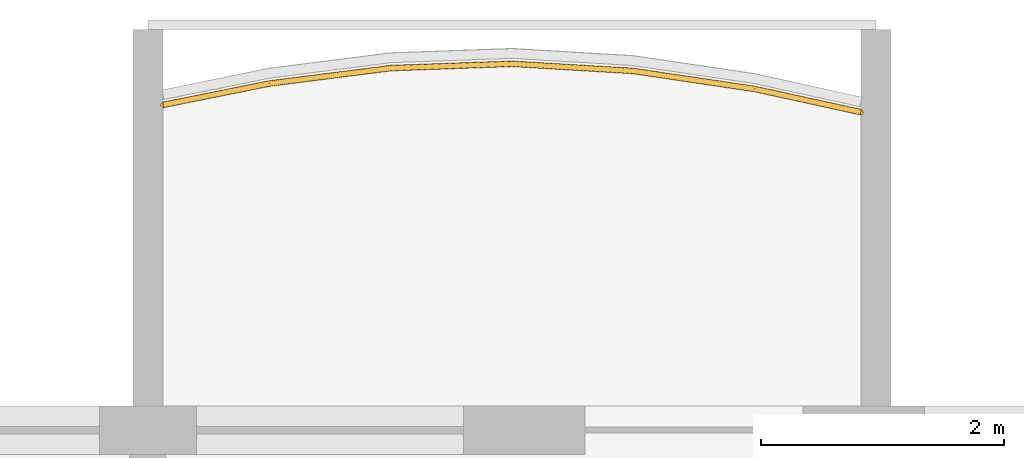
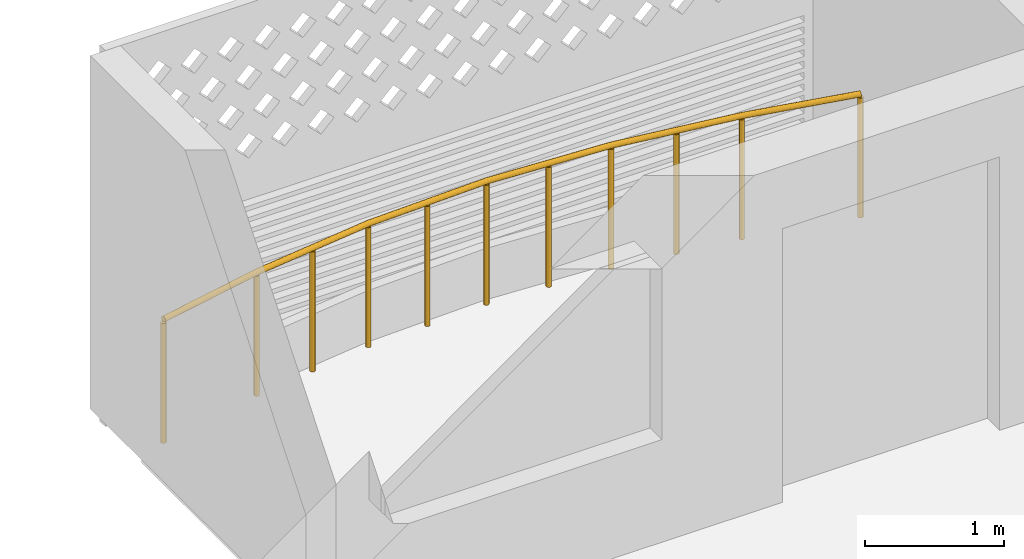
# One storey, part 21 of 26: 1 railing.
"""IFC4 building model written with IfcOpenShell, lengths in metres."""

from ifc_helpers import new_model, si_unit, direction, frame, origin, origin_2d, place, context, subcontext, project, spatial, circle, extrude, material, type_object, element, save


model = new_model("IFC4")

# Units and contexts
model_context = context("Model", 3, precision=1e-05, world=origin(), true_north=direction((0.0, 1.0)))
body_context = subcontext(model_context, "Body", "Model", "MODEL_VIEW")
ifc_project = project(units=[si_unit("LENGTHUNIT", "METRE"), si_unit("AREAUNIT", "SQUARE_METRE"), si_unit("VOLUMEUNIT", "CUBIC_METRE"), si_unit("PLANEANGLEUNIT", "RADIAN"), si_unit("MASSUNIT", "GRAM", prefix="KILO")], contexts=[model_context])

# Site, building, storey
site_placement = place(None, origin())
site = spatial("IfcSite", under=ifc_project, at=site_placement, CompositionType="ELEMENT")
building_placement = place(site_placement, origin())
building = spatial("IfcBuilding", under=site, at=building_placement, Name="Poui Terraces", CompositionType="ELEMENT")
storey_placement = place(building_placement, frame((0.0, 0.0, 162.0)))
storey = spatial("IfcBuildingStorey", under=building, at=storey_placement, Name="L45", CompositionType="ELEMENT", Elevation=162.0)

# Railing
ifc_material = material(Name="Painted steel fretwork", Category="steel")
railing_type = type_object("IfcRailingType", Name="BALCONY GUARD 1100", PredefinedType="GUARDRAIL", material=ifc_material)
railing_placement = place(storey_placement, frame((54.125, 45.080078125, 0.0)))
element("IfcRailing", 1, at=railing_placement, inside=storey, type_object=railing_type, Name="BALCONY GUARD", PredefinedType="GUARDRAIL", context=body_context, shape_type="SweptSolid", body=[
    extrude(circle(Radius=0.02392578125, at=origin_2d()), frame((0.0, 0.0, 1.076171875), z_axis=(0.98030619905, 0.197483559072, 0.0), x_axis=(-0.197483559072, 0.98030619905, 0.0)), (0.0, 0.0, 1.0), 0.892578125),
    extrude(circle(Radius=0.02392578125, at=origin_2d()), frame((0.875, 0.17626953125, 1.076171875), z_axis=(0.992007284566, 0.126180614077, 0.0), x_axis=(-0.126180614077, 0.992007284566, 0.0)), (0.0, 0.0, 1.0), 1.008056640625),
    extrude(circle(Radius=0.02392578125, at=origin_2d()), frame((1.875, 0.303466796875, 1.076171875), z_axis=(0.999365338401, 0.035621909035, 0.0), x_axis=(-0.035621909035, 0.999365338401, 0.0)), (0.0, 0.0, 1.0), 1.000732421875),
    extrude(circle(Radius=0.02392578125, at=origin_2d()), frame((2.875, 0.339111328125, 1.076171875), z_axis=(0.998244834412, -0.05922204462, 0.0), x_axis=(0.05922204462, 0.998244834412, 0.0)), (0.0, 0.0, 1.0), 1.001708984375),
    extrude(circle(Radius=0.02392578125, at=origin_2d()), frame((3.875, 0.27978515625, 1.076171875), z_axis=(0.989161931015, -0.146828724135, 0.0), x_axis=(0.146828724135, 0.989161931015, 0.0)), (0.0, 0.0, 1.0), 1.010986328125),
    extrude(circle(Radius=0.02392578125, at=origin_2d()), frame((4.875, 0.13134765625, 1.076171875), z_axis=(0.977013696832, -0.213176537646, 0.0), x_axis=(0.213176537646, 0.977013696832, 0.0)), (0.0, 0.0, 1.0), 0.8955078125),
    extrude(circle(Radius=0.02099609375, at=origin_2d()), origin(), (0.0, 0.0, 1.0), 1.052001953125),
    extrude(circle(Radius=0.02099609375, at=origin_2d()), frame((0.875, 0.17626953125, 0.0)), (0.0, 0.0, 1.0), 1.052001953125),
    extrude(circle(Radius=0.02099609375, at=origin_2d()), frame((1.375, 0.23974609375, 0.0)), (0.0, 0.0, 1.0), 1.052001953125),
    extrude(circle(Radius=0.02099609375, at=origin_2d()), frame((1.875, 0.303466796875, 0.0)), (0.0, 0.0, 1.0), 1.052001953125),
    extrude(circle(Radius=0.02099609375, at=origin_2d()), frame((2.375, 0.3212890625, 0.0)), (0.0, 0.0, 1.0), 1.052001953125),
    extrude(circle(Radius=0.02099609375, at=origin_2d()), frame((2.875, 0.339111328125, 0.0)), (0.0, 0.0, 1.0), 1.052001953125),
    extrude(circle(Radius=0.02099609375, at=origin_2d()), frame((3.375, 0.3095703125, 0.0)), (0.0, 0.0, 1.0), 1.052001953125),
    extrude(circle(Radius=0.02099609375, at=origin_2d()), frame((3.875, 0.27978515625, 0.0)), (0.0, 0.0, 1.0), 1.052001953125),
    extrude(circle(Radius=0.02099609375, at=origin_2d()), frame((4.375, 0.20556640625, 0.0)), (0.0, 0.0, 1.0), 1.052001953125),
    extrude(circle(Radius=0.02099609375, at=origin_2d()), frame((4.875, 0.13134765625, 0.0)), (0.0, 0.0, 1.0), 1.052001953125),
    extrude(circle(Radius=0.02099609375, at=origin_2d()), frame((5.75, -0.0595703125, 0.0)), (0.0, 0.0, 1.0), 1.052001953125),
])

save(model, "model.ifc")
